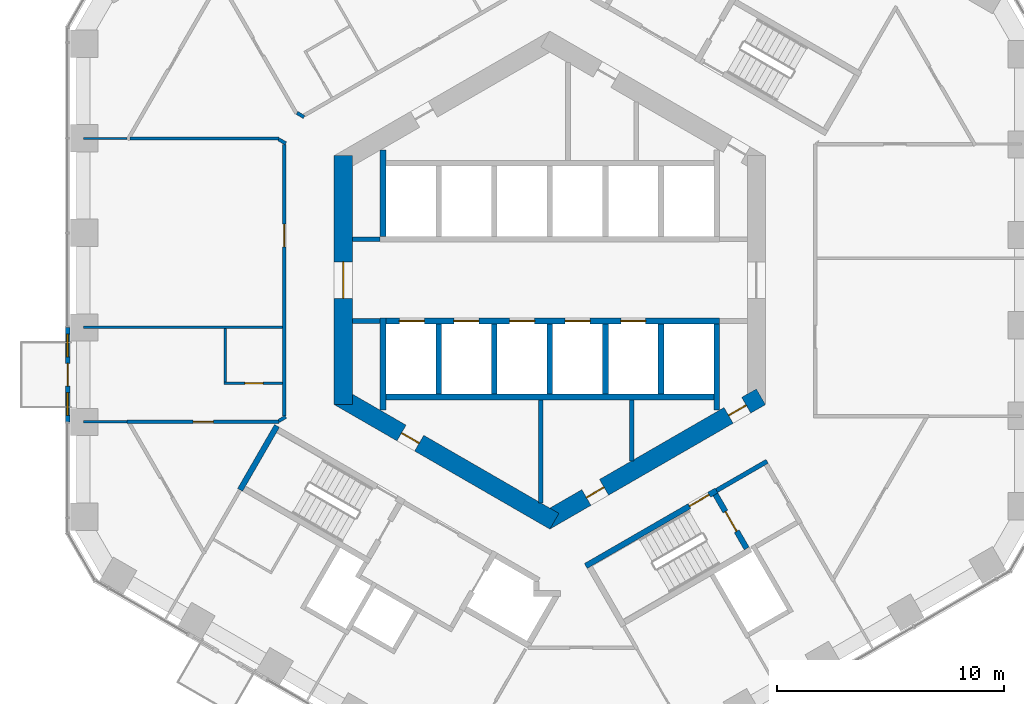
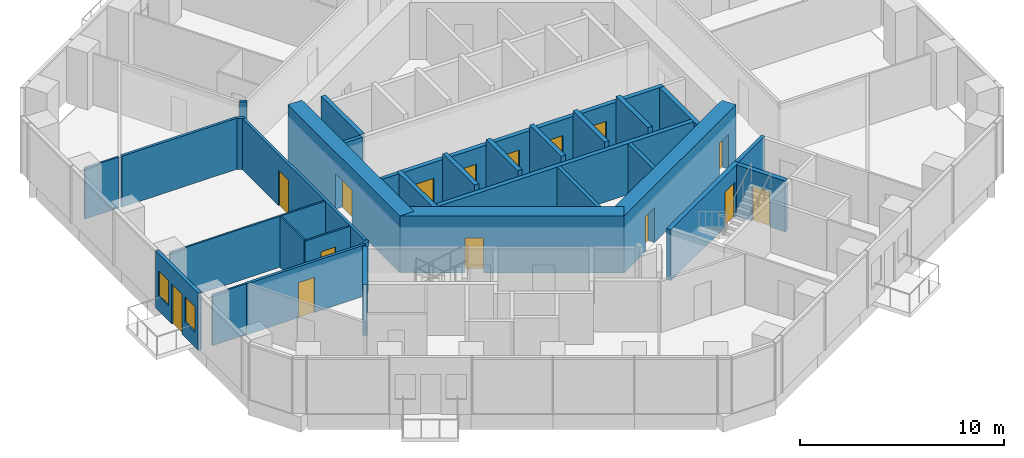
# One storey, part 13 of 19: 33 walls, 15 doors, 2 windows, 17 openings.
"""IFC4 building model written with IfcOpenShell, lengths in metres."""

from ifc_helpers import new_model, si_unit, direction, frame, frame_2d, origin, place, context, subcontext, project, spatial, rectangle, extrude, material, layer, layer_set, type_object, element, fill, save


model = new_model("IFC4")

# Units and contexts
model_context = context("Model", 3, precision=1e-05, world=origin(), true_north=direction((0.0, 1.0)))
body_context = subcontext(model_context, "Body", "Model", "MODEL_VIEW")
ifc_project = project(units=[si_unit("LENGTHUNIT", "METRE"), si_unit("AREAUNIT", "SQUARE_METRE"), si_unit("VOLUMEUNIT", "CUBIC_METRE"), si_unit("PLANEANGLEUNIT", "RADIAN"), si_unit("MASSUNIT", "GRAM", prefix="KILO")], contexts=[model_context])

# Site, building, storey
site_placement = place(None, origin())
site = spatial("IfcSite", under=ifc_project, at=site_placement, CompositionType="ELEMENT")
building_placement = place(site_placement, origin())
building = spatial("IfcBuilding", under=site, at=building_placement, Name="Ayvan Gate Tower", CompositionType="ELEMENT")
storey_placement = place(building_placement, frame((0.0, 0.0, 39.10009765625)))
storey = spatial("IfcBuildingStorey", under=building, at=storey_placement, Name="L09", CompositionType="ELEMENT", Elevation=39.10009765625)

# Wall, openings, door, windows
ifc_material_1 = material(Name="Insulated metal panel wall")
ifc_layer_1 = layer(ifc_material_1, 0.199951171875)
ifc_layer_set_1 = layer_set([ifc_layer_1], Name="Insulated metal panel wall")
wall_type_1 = type_object("IfcWallType", Name="Balcony door wall 200", PredefinedType="SOLIDWALL", material=ifc_layer_set_1)
wall_1_placement = place(storey_placement, frame((-21.247314453125, -2.084716796875, 0.0), z_axis=(0.0, 0.0, 1.0), x_axis=(0.0, -1.0, 0.0)))
wall_1 = element("IfcWall", 1, at=wall_1_placement, inside=storey, type_object=wall_type_1, Name="EW:L09:3:3", PredefinedType="SOLIDWALL", context=body_context, shape_type="SweptSolid", body=[
    extrude(rectangle(XDim=4.168212890625, YDim=0.199951171875, at=frame_2d((2.083984375, 0.0))), origin(), (0.0, 0.0, 1.0), 3.39990234375),
])
opening_1_placement = place(wall_1_placement, frame((1.583984375, 0.0, 0.0)))
opening_1 = element("IfcOpeningElement", 2, at=opening_1_placement, cuts=wall_1, Name="Opening L09-D93", PredefinedType="OPENING", context=body_context, shape_type="SweptSolid", body=[
    extrude(rectangle(XDim=1.0, YDim=2.39990234375, at=frame_2d((0.5, 1.199951171875))), frame((0.0, 0.10986328125, 0.0), z_axis=(0.0, -1.0, 0.0), x_axis=(1.0, 0.0, 0.0)), (0.0, 0.0, 1.0), 0.219970703125),
])
opening_2_placement = place(wall_1_placement, frame((0.2919921875, 0.0, 0.89990234375)))
opening_2 = element("IfcOpeningElement", 3, at=opening_2_placement, cuts=wall_1, Name="Opening W-B1", PredefinedType="OPENING", context=body_context, shape_type="SweptSolid", body=[
    extrude(rectangle(XDim=1.0, YDim=1.5, at=frame_2d((0.5, 0.75))), frame((0.0, 0.10986328125, 0.0), z_axis=(0.0, -1.0, 0.0), x_axis=(1.0, 0.0, 0.0)), (0.0, 0.0, 1.0), 0.219970703125),
])
opening_3_placement = place(wall_1_placement, frame((2.8759765625, 0.0, 0.89990234375)))
opening_3 = element("IfcOpeningElement", 4, at=opening_3_placement, cuts=wall_1, Name="Opening W-B1", PredefinedType="OPENING", context=body_context, shape_type="SweptSolid", body=[
    extrude(rectangle(XDim=1.0, YDim=1.5, at=frame_2d((0.5, 0.75))), frame((0.0, 0.10986328125, 0.0), z_axis=(0.0, -1.0, 0.0), x_axis=(1.0, 0.0, 0.0)), (0.0, 0.0, 1.0), 0.219970703125),
])
ifc_material_2 = material(Name="Bronze anodised aluminium and clear glass", Category="aluminium")
door_type_1 = type_object("IfcDoorType", Name="Balcony door D-B", OperationType="SINGLE_SWING_RIGHT", PredefinedType="DOOR", material=ifc_material_2)
door_1_placement = place(opening_1_placement, origin())
door_1 = element("IfcDoor", 5, at=door_1_placement, inside=storey, type_object=door_type_1, Name="Balcony door BAL-L09-3", OperationType="SINGLE_SWING_RIGHT", OverallHeight=2.39990234375, OverallWidth=1.0, PredefinedType="DOOR", context=body_context, shape_type="SweptSolid", body=[
    extrude(rectangle(XDim=1.0, YDim=2.39990234375, at=frame_2d((0.5, 1.199951171875))), frame((0.0, 0.02490234375, 0.0), z_axis=(0.0, -1.0, 0.0), x_axis=(1.0, 0.0, 0.0)), (0.0, 0.0, 1.0), 0.050048828125),
])
fill(opening_1, door_1)
window_type = type_object("IfcWindowType", Name="Balcony side light W-B Z1", PartitioningType="SINGLE_PANEL", PredefinedType="WINDOW", material=ifc_material_2)
window_1_placement = place(opening_2_placement, origin())
window_1 = element("IfcWindow", 6, at=window_1_placement, inside=storey, type_object=window_type, Name="Balcony side light BAL-L09-3.1", OverallHeight=1.5, OverallWidth=1.0, PartitioningType="SINGLE_PANEL", PredefinedType="WINDOW", context=body_context, shape_type="SweptSolid", body=[
    extrude(rectangle(XDim=1.0, YDim=1.5, at=frame_2d((0.5, 0.75))), frame((0.0, 0.030029296875, 0.0), z_axis=(0.0, -1.0, 0.0), x_axis=(1.0, 0.0, 0.0)), (0.0, 0.0, 1.0), 0.06005859375),
])
fill(opening_2, window_1)
window_2_placement = place(opening_3_placement, origin())
window_2 = element("IfcWindow", 7, at=window_2_placement, inside=storey, type_object=window_type, Name="Balcony side light BAL-L09-3.2", OverallHeight=1.5, OverallWidth=1.0, PartitioningType="SINGLE_PANEL", PredefinedType="WINDOW", context=body_context, shape_type="SweptSolid", body=[
    extrude(rectangle(XDim=1.0, YDim=1.5, at=frame_2d((0.5, 0.75))), frame((0.0, 0.030029296875, 0.0), z_axis=(0.0, -1.0, 0.0), x_axis=(1.0, 0.0, 0.0)), (0.0, 0.0, 1.0), 0.06005859375),
])
fill(opening_3, window_2)

# Wall, opening, door
ifc_material_3 = material(Name="Concrete C70/85", Category="concrete")
ifc_layer_2 = layer(ifc_material_3, 0.800048828125)
ifc_layer_set_2 = layer_set([ifc_layer_2], Name="Concrete C70/85")
wall_type_2 = type_object("IfcWallType", Name="Core wall 800 C70/85", PredefinedType="SHEAR", material=ifc_layer_set_2)
wall_2_placement = place(storey_placement, frame((-9.10009765625, 5.48486328125, 0.0), z_axis=(0.0, 0.0, 1.0), x_axis=(0.0, -1.0, 0.0)))
wall_2 = element("IfcWall", 8, at=wall_2_placement, inside=storey, type_object=wall_type_2, Name="CORE-L09-3", PredefinedType="SHEAR", context=body_context, shape_type="SweptSolid", body=[
    extrude(rectangle(XDim=10.9697265625, YDim=0.800048828125, at=frame_2d((5.48486328125, 0.0))), origin(), (0.0, 0.0, 1.0), 3.39990234375),
])
opening_4_placement = place(wall_2_placement, frame((4.684814453125, 0.0, 0.0)))
opening_4 = element("IfcOpeningElement", 9, at=opening_4_placement, cuts=wall_2, Name="Opening L09-D103", PredefinedType="OPENING", context=body_context, shape_type="SweptSolid", body=[
    extrude(rectangle(XDim=1.60009765625, YDim=2.10009765625, at=frame_2d((0.800048828125, 1.050048828125))), frame((0.0, 0.409912109375, 0.0), z_axis=(0.0, -1.0, 0.0), x_axis=(1.0, 0.0, 0.0)), (0.0, 0.0, 1.0), 0.820068359375),
])
ifc_material_4 = material(Name="Timber door leaf", Category="wood")
door_type_2 = type_object("IfcDoorType", Name="DT-1600", OperationType="NOTDEFINED", PredefinedType="DOOR", material=ifc_material_4)
door_2_placement = place(opening_4_placement, origin())
door_2 = element("IfcDoor", 10, at=door_2_placement, inside=storey, type_object=door_type_2, Name="CD-L09-103", OperationType="SINGLE_SWING_RIGHT", OverallHeight=2.10009765625, OverallWidth=1.60009765625, PredefinedType="DOOR", context=body_context, shape_type="SweptSolid", body=[
    extrude(rectangle(XDim=1.60009765625, YDim=2.10009765625, at=frame_2d((0.800048828125, 1.050048828125))), frame((0.0, 0.02490234375, 0.0), z_axis=(0.0, -1.0, 0.0), x_axis=(1.0, 0.0, 0.0)), (0.0, 0.0, 1.0), 0.050048828125),
])
fill(opening_4, door_2)

wall_3_placement = place(storey_placement, frame((-9.300048828125, -5.138427734375, 0.0), z_axis=(0.0, 0.0, 1.0), x_axis=(0.866023993627, -0.500002442456, 0.0)))
wall_3 = element("IfcWall", 11, at=wall_3_placement, inside=storey, type_object=wall_type_2, Name="CORE-L09-4", PredefinedType="SHEAR", context=body_context, shape_type="SweptSolid", body=[
    extrude(rectangle(XDim=10.9697265625, YDim=0.800048828125, at=frame_2d((5.48486328125, 0.0))), origin(), (0.0, 0.0, 1.0), 3.39990234375),
])
opening_5_placement = place(wall_3_placement, frame((3.1923828125, 0.0, 0.0)))
opening_5 = element("IfcOpeningElement", 12, at=opening_5_placement, cuts=wall_3, Name="Opening L09-D99", PredefinedType="OPENING", context=body_context, shape_type="SweptSolid", body=[
    extrude(rectangle(XDim=0.89990234375, YDim=2.10009765625, at=frame_2d((0.449951171875, 1.050048828125))), frame((0.0, 0.409912109375, 0.0), z_axis=(0.0, -1.0, 0.0), x_axis=(1.0, 0.0, 0.0)), (0.0, 0.0, 1.0), 0.820068359375),
])
door_type_3 = type_object("IfcDoorType", Name="DT-900", OperationType="NOTDEFINED", PredefinedType="DOOR", material=ifc_material_4)
door_3_placement = place(opening_5_placement, origin())
door_3 = element("IfcDoor", 13, at=door_3_placement, inside=storey, type_object=door_type_3, Name="CD-L09-99", OperationType="SINGLE_SWING_RIGHT", OverallHeight=2.10009765625, OverallWidth=0.89990234375, PredefinedType="DOOR", context=body_context, shape_type="SweptSolid", body=[
    extrude(rectangle(XDim=0.89990234375, YDim=2.10009765625, at=frame_2d((0.449951171875, 1.050048828125))), frame((0.0, 0.02490234375, 0.0), z_axis=(0.0, -1.0, 0.0), x_axis=(1.0, 0.0, 0.0)), (0.0, 0.0, 1.0), 0.050048828125),
])
fill(opening_5, door_3)

# Wall, openings, doors
wall_4_placement = place(storey_placement, frame((-0.199951171875, -10.623291015625, 0.0), z_axis=(0.0, 0.0, 1.0), x_axis=(0.866023993627, 0.500002442456, 0.0)))
wall_4 = element("IfcWall", 14, at=wall_4_placement, inside=storey, type_object=wall_type_2, Name="CORE-L09-5", PredefinedType="SHEAR", context=body_context, shape_type="SweptSolid", body=[
    extrude(rectangle(XDim=10.9697265625, YDim=0.800048828125, at=frame_2d((5.48486328125, 0.0))), origin(), (0.0, 0.0, 1.0), 3.39990234375),
])
opening_6_placement = place(wall_4_placement, frame((2.0908203125, 0.0, 0.0)))
opening_6 = element("IfcOpeningElement", 15, at=opening_6_placement, cuts=wall_4, Name="Opening L09-D100", PredefinedType="OPENING", context=body_context, shape_type="SweptSolid", body=[
    extrude(rectangle(XDim=0.89990234375, YDim=2.10009765625, at=frame_2d((0.449951171875, 1.050048828125))), frame((0.0, 0.409912109375, 0.0), z_axis=(0.0, -1.0, 0.0), x_axis=(1.0, 0.0, 0.0)), (0.0, 0.0, 1.0), 0.820068359375),
])
opening_7_placement = place(wall_4_placement, frame((9.32470703125, 0.0, 0.0)))
opening_7 = element("IfcOpeningElement", 16, at=opening_7_placement, cuts=wall_4, Name="Opening L09-D101", PredefinedType="OPENING", context=body_context, shape_type="SweptSolid", body=[
    extrude(rectangle(XDim=0.89990234375, YDim=2.10009765625, at=frame_2d((0.449951171875, 1.050048828125))), frame((0.0, 0.409912109375, 0.0), z_axis=(0.0, -1.0, 0.0), x_axis=(1.0, 0.0, 0.0)), (0.0, 0.0, 1.0), 0.820068359375),
])
door_4_placement = place(opening_6_placement, origin())
door_4 = element("IfcDoor", 17, at=door_4_placement, inside=storey, type_object=door_type_3, Name="CD-L09-100", OperationType="SINGLE_SWING_LEFT", OverallHeight=2.10009765625, OverallWidth=0.89990234375, PredefinedType="DOOR", context=body_context, shape_type="SweptSolid", body=[
    extrude(rectangle(XDim=0.89990234375, YDim=2.10009765625, at=frame_2d((0.449951171875, 1.050048828125))), frame((0.0, 0.02490234375, 0.0), z_axis=(0.0, -1.0, 0.0), x_axis=(1.0, 0.0, 0.0)), (0.0, 0.0, 1.0), 0.050048828125),
])
fill(opening_6, door_4)
door_5_placement = place(opening_7_placement, origin())
door_5 = element("IfcDoor", 18, at=door_5_placement, inside=storey, type_object=door_type_3, Name="CD-L09-101", OperationType="SINGLE_SWING_RIGHT", OverallHeight=2.10009765625, OverallWidth=0.89990234375, PredefinedType="DOOR", context=body_context, shape_type="SweptSolid", body=[
    extrude(rectangle(XDim=0.89990234375, YDim=2.10009765625, at=frame_2d((0.449951171875, 1.050048828125))), frame((0.0, 0.02490234375, 0.0), z_axis=(0.0, -1.0, 0.0), x_axis=(1.0, 0.0, 0.0)), (0.0, 0.0, 1.0), 0.050048828125),
])
fill(opening_7, door_5)

# Wall, opening, door
ifc_material_5 = material(Name="Plasterboard on steel stud", Category="steel")
ifc_layer_3 = layer(ifc_material_5, 0.14990234375)
ifc_layer_set_3 = layer_set([ifc_layer_3], Name="Plasterboard on steel stud")
wall_type_3 = type_object("IfcWallType", Name="WT-CORR-150", PredefinedType="PARTITIONING", material=ifc_layer_set_3)
wall_5_placement = place(storey_placement, frame((-18.639404296875, -6.242919921875, 0.0), z_axis=(0.0, 0.0, 1.0), x_axis=(1.0, 0.0, 0.0)))
wall_5 = element("IfcWall", 19, at=wall_5_placement, inside=storey, type_object=wall_type_3, Name="IW-L09-001", PredefinedType="PARTITIONING", context=body_context, shape_type="SweptSolid", body=[
    extrude(rectangle(XDim=6.701171875, YDim=0.14990234375, at=frame_2d((3.3505859375, 0.0))), origin(), (0.0, 0.0, 1.0), 3.0498046875),
])
opening_8_placement = place(wall_5_placement, frame((2.91796875, 0.0, 0.0)))
opening_8 = element("IfcOpeningElement", 20, at=opening_8_placement, cuts=wall_5, Name="Opening L09-D23", PredefinedType="OPENING", context=body_context, shape_type="SweptSolid", body=[
    extrude(rectangle(XDim=0.89990234375, YDim=2.10009765625, at=frame_2d((0.449951171875, 1.050048828125))), frame((0.0, 0.0849609375, 0.0), z_axis=(0.0, -1.0, 0.0), x_axis=(1.0, 0.0, 0.0)), (0.0, 0.0, 1.0), 0.169921875),
])
door_6_placement = place(opening_8_placement, origin())
door_6 = element("IfcDoor", 21, at=door_6_placement, inside=storey, type_object=door_type_3, Name="ID-L09-023", OperationType="SINGLE_SWING_RIGHT", OverallHeight=2.10009765625, OverallWidth=0.89990234375, PredefinedType="DOOR", context=body_context, shape_type="SweptSolid", body=[
    extrude(rectangle(XDim=0.89990234375, YDim=2.10009765625, at=frame_2d((0.449951171875, 1.050048828125))), frame((0.0, 0.02490234375, 0.0), z_axis=(0.0, -1.0, 0.0), x_axis=(1.0, 0.0, 0.0)), (0.0, 0.0, 1.0), 0.050048828125),
])
fill(opening_8, door_6)

# Walls
wall_6_placement = place(storey_placement, frame((-11.938232421875, 6.242919921875, 0.0), z_axis=(0.0, 0.0, 1.0), x_axis=(-1.0, 0.0, 0.0)))
element("IfcWall", 22, at=wall_6_placement, inside=storey, type_object=wall_type_3, Name="IW-L09-016", PredefinedType="PARTITIONING", context=body_context, shape_type="SweptSolid", body=[
    extrude(rectangle(XDim=6.55126953125, YDim=0.14990234375, at=frame_2d((3.275634765625, 0.0))), origin(), (0.0, 0.0, 1.0), 3.0498046875),
])
for number, where, z_axis, x_axis, name in (
    (23, (-11.9482421875, -6.20556640625, 0.0), (0.0, 0.0, 1.0), (0.865949522258, 0.500131407633, 0.0), "IW-L09-017"),
    (24, (-11.635009765625, 6.024658203125, 0.0), (0.0, 0.0, 1.0), (-0.865949522258, 0.500131407633, 0.0), "IW-L09-018"),
):
    element("IfcWall", number, at=place(storey_placement, frame(where, z_axis=z_axis, x_axis=x_axis)), inside=storey, type_object=wall_type_3, Name=name, PredefinedType="PARTITIONING", context=body_context, shape_type="SweptSolid", body=[
        extrude(rectangle(XDim=0.36181640625, YDim=0.14990234375, at=frame_2d((0.180908203125, 0.0))), origin(), (0.0, 0.0, 1.0), 3.0498046875),
    ])

# Wall, opening, door
wall_7_placement = place(storey_placement, frame((-11.699951171875, -5.9873046875, 0.0), z_axis=(0.0, 0.0, 1.0), x_axis=(0.0, 1.0, 0.0)))
wall_7 = element("IfcWall", 25, at=wall_7_placement, inside=storey, type_object=wall_type_3, Name="IW-L09-019", PredefinedType="PARTITIONING", context=body_context, shape_type="SweptSolid", body=[
    extrude(rectangle(XDim=11.974609375, YDim=0.14990234375, at=frame_2d((5.9873046875, 0.0))), origin(), (0.0, 0.0, 1.0), 3.0498046875),
])
opening_9_placement = place(wall_7_placement, frame((7.455322265625, 0.0, 0.0)))
opening_9 = element("IfcOpeningElement", 26, at=opening_9_placement, cuts=wall_7, Name="Opening L09-D22", PredefinedType="OPENING", context=body_context, shape_type="SweptSolid", body=[
    extrude(rectangle(XDim=1.0, YDim=2.10009765625, at=frame_2d((0.5, 1.050048828125))), frame((0.0, 0.0849609375, 0.0), z_axis=(0.0, -1.0, 0.0), x_axis=(1.0, 0.0, 0.0)), (0.0, 0.0, 1.0), 0.169921875),
])
door_type_4 = type_object("IfcDoorType", Name="DT-1000", OperationType="NOTDEFINED", PredefinedType="DOOR", material=ifc_material_4)
door_7_placement = place(opening_9_placement, origin())
door_7 = element("IfcDoor", 27, at=door_7_placement, inside=storey, type_object=door_type_4, Name="ID-L09-022", OperationType="SINGLE_SWING_LEFT", OverallHeight=2.10009765625, OverallWidth=1.0, PredefinedType="DOOR", context=body_context, shape_type="SweptSolid", body=[
    extrude(rectangle(XDim=1.0, YDim=2.10009765625, at=frame_2d((0.5, 1.050048828125))), frame((0.0, 0.02490234375, 0.0), z_axis=(0.0, -1.0, 0.0), x_axis=(1.0, 0.0, 0.0)), (0.0, 0.0, 1.0), 0.050048828125),
])
fill(opening_9, door_7)

# Walls
wall_8_placement = place(storey_placement, frame((-11.138916015625, 7.3720703125, 0.0), z_axis=(0.0, 0.0, 1.0), x_axis=(0.852601252411, -0.522562057929, 0.0)))
element("IfcWall", 28, at=wall_8_placement, inside=storey, type_object=wall_type_3, Name="IW-L09-020", PredefinedType="PARTITIONING", context=body_context, shape_type="SweptSolid", body=[
    extrude(rectangle(XDim=0.364013671875, YDim=0.14990234375, at=frame_2d((0.18212890625, 0.0))), origin(), (0.0, 0.0, 1.0), 3.0498046875),
])
ifc_layer_4 = layer(ifc_material_5, 0.10009765625)
ifc_layer_set_4 = layer_set([ifc_layer_4], Name="Plasterboard on steel stud")
wall_type_4 = type_object("IfcWallType", Name="WT-PART-100", PredefinedType="PARTITIONING", material=ifc_layer_set_4)
for number, where, z_axis, x_axis, name in (
    (29, (-18.639404296875, -6.242919921875, 0.0), (0.0, 0.0, 1.0), (-1.0, 0.0, 0.0), "IW-L09-000"),
    (30, (-18.639404296875, 6.242919921875, 0.0), (0.0, 0.0, 1.0), (-1.0, 0.0, 0.0), "IW-L09-002"),
):
    element("IfcWall", number, at=place(storey_placement, frame(where, z_axis=z_axis, x_axis=x_axis)), inside=storey, type_object=wall_type_4, Name=name, PredefinedType="PARTITIONING", context=body_context, shape_type="SweptSolid", body=[
        extrude(rectangle(XDim=1.90771484375, YDim=0.10009765625, at=frame_2d((0.953857421875, 0.0))), origin(), (0.0, 0.0, 1.0), 3.0498046875),
    ])

# Wall, opening, door
wall_9_placement = place(storey_placement, frame((-14.35009765625, -4.54296875, 0.0), z_axis=(0.0, 0.0, 1.0), x_axis=(1.0, 0.0, 0.0)))
wall_9 = element("IfcWall", 31, at=wall_9_placement, inside=storey, type_object=wall_type_4, Name="IW-L09-010", PredefinedType="PARTITIONING", context=body_context, shape_type="SweptSolid", body=[
    extrude(rectangle(XDim=2.5751953125, YDim=0.10009765625, at=frame_2d((1.28759765625, 0.0))), origin(), (0.0, 0.0, 1.0), 3.0498046875),
])
opening_10_placement = place(wall_9_placement, frame((0.91259765625, 0.0, 0.0)))
opening_10 = element("IfcOpeningElement", 32, at=opening_10_placement, cuts=wall_9, Name="Opening L09-D24", PredefinedType="OPENING", context=body_context, shape_type="SweptSolid", body=[
    extrude(rectangle(XDim=0.800048828125, YDim=2.10009765625, at=frame_2d((0.39990234375, 1.050048828125))), frame((0.0, 0.06005859375, 0.0), z_axis=(0.0, -1.0, 0.0), x_axis=(1.0, 0.0, 0.0)), (0.0, 0.0, 1.0), 0.1201171875),
])
door_type_5 = type_object("IfcDoorType", Name="DT-800", OperationType="NOTDEFINED", PredefinedType="DOOR", material=ifc_material_4)
door_8_placement = place(opening_10_placement, origin())
door_8 = element("IfcDoor", 33, at=door_8_placement, inside=storey, type_object=door_type_5, Name="ID-L09-024", OperationType="SINGLE_SWING_LEFT", OverallHeight=2.10009765625, OverallWidth=0.800048828125, PredefinedType="DOOR", context=body_context, shape_type="SweptSolid", body=[
    extrude(rectangle(XDim=0.800048828125, YDim=2.10009765625, at=frame_2d((0.39990234375, 1.050048828125))), frame((0.0, 0.02490234375, 0.0), z_axis=(0.0, -1.0, 0.0), x_axis=(1.0, 0.0, 0.0)), (0.0, 0.0, 1.0), 0.050048828125),
])
fill(opening_10, door_8)

# Walls
wall_10_placement = place(storey_placement, frame((-14.300048828125, -2.131103515625, 0.0), z_axis=(0.0, 0.0, 1.0), x_axis=(0.0, -1.0, 0.0)))
element("IfcWall", 34, at=wall_10_placement, inside=storey, type_object=wall_type_4, Name="IW-L09-011", PredefinedType="PARTITIONING", context=body_context, shape_type="SweptSolid", body=[
    extrude(rectangle(XDim=2.36181640625, YDim=0.10009765625, at=frame_2d((1.180908203125, 0.0))), origin(), (0.0, 0.0, 1.0), 3.0498046875),
])
wall_11_placement = place(storey_placement, frame((-20.547119140625, -2.0810546875, 0.0), z_axis=(0.0, 0.0, 1.0), x_axis=(1.0, 0.0, 0.0)))
element("IfcWall", 35, at=wall_11_placement, inside=storey, type_object=wall_type_4, Name="IW-L09-012", PredefinedType="PARTITIONING", context=body_context, shape_type="SweptSolid", body=[
    extrude(rectangle(XDim=8.772216796875, YDim=0.10009765625, at=frame_2d((4.38623046875, 0.0))), origin(), (0.0, 0.0, 1.0), 3.0498046875),
])
ifc_layer_5 = layer(ifc_material_5, 0.199951171875)
ifc_layer_set_5 = layer_set([ifc_layer_5], Name="Plasterboard on steel stud")
wall_type_5 = type_object("IfcWallType", Name="WT-RATED-200", PredefinedType="PARTITIONING", material=ifc_layer_set_5)
for number, where, z_axis, x_axis, name in (
    (36, (-8.699951171875, 1.800048828125, 0.0), (0.0, 0.0, 1.0), (1.0, 0.0, 0.0), "IW-L09-029"),
    (37, (-7.474853515625, -1.800048828125, 0.0), (0.0, 0.0, 1.0), (-1.0, 0.0, 0.0), "IW-L09-037"),
):
    element("IfcWall", number, at=place(storey_placement, frame(where, z_axis=z_axis, x_axis=x_axis)), inside=storey, type_object=wall_type_5, Name=name, PredefinedType="PARTITIONING", context=body_context, shape_type="SweptSolid", body=[
        extrude(rectangle(XDim=1.22509765625, YDim=0.199951171875, at=frame_2d((0.612548828125, 0.0))), origin(), (0.0, 0.0, 1.0), 3.0498046875),
    ])
wall_12_placement = place(storey_placement, frame((-0.39990234375, -5.27490234375, 0.0), z_axis=(0.0, 0.0, 1.0), x_axis=(0.0, -1.0, 0.0)))
element("IfcWall", 38, at=wall_12_placement, inside=storey, type_object=wall_type_5, Name="IW-L09-061", PredefinedType="PARTITIONING", context=body_context, shape_type="SweptSolid", body=[
    extrude(rectangle(XDim=4.5400390625, YDim=0.199951171875, at=frame_2d((2.27001953125, 0.0))), origin(), (0.0, 0.0, 1.0), 3.0498046875),
])
wall_13_placement = place(storey_placement, frame((3.60009765625, -5.27490234375, 0.0), z_axis=(0.0, 0.0, 1.0), x_axis=(0.0, -1.0, 0.0)))
element("IfcWall", 39, at=wall_13_placement, inside=storey, type_object=wall_type_5, Name="IW-L09-078", PredefinedType="PARTITIONING", context=body_context, shape_type="SweptSolid", body=[
    extrude(rectangle(XDim=2.6923828125, YDim=0.199951171875, at=frame_2d((1.34619140625, 0.0))), origin(), (0.0, 0.0, 1.0), 3.0498046875),
])
wall_14_placement = place(storey_placement, frame((7.343994140625, -9.27001953125, 0.0), z_axis=(0.0, 0.0, 1.0), x_axis=(0.866005588531, 0.500034319456, 0.0)))
element("IfcWall", 40, at=wall_14_placement, inside=storey, type_object=wall_type_5, Name="IW-L09-090", PredefinedType="PARTITIONING", context=body_context, shape_type="SweptSolid", body=[
    extrude(rectangle(XDim=2.574951171875, YDim=0.199951171875, at=frame_2d((1.28759765625, 0.0))), origin(), (0.0, 0.0, 1.0), 3.0498046875),
])
ifc_material_6 = material(Name="Concrete C50/60", Category="concrete")
ifc_layer_6 = layer(ifc_material_6, 0.25)
ifc_layer_set_6 = layer_set([ifc_layer_6], Name="Concrete C50/60")
wall_type_6 = type_object("IfcWallType", Name="WT-RC-250", PredefinedType="SHEAR", material=ifc_layer_set_6)
wall_15_placement = place(storey_placement, frame((-13.64794921875, -9.23876953125, 0.0), z_axis=(0.0, 0.0, 1.0), x_axis=(0.500017246033, 0.866015446554, 0.0)))
element("IfcWall", 41, at=wall_15_placement, inside=storey, type_object=wall_type_6, Name="IW-L09-013", PredefinedType="SHEAR", context=body_context, shape_type="SweptSolid", body=[
    extrude(rectangle(XDim=3.25, YDim=0.25, at=frame_2d((1.625, 0.0))), origin(), (0.0, 0.0, 1.0), 3.0498046875),
])
wall_16_placement = place(storey_placement, frame((-7.35009765625, -5.730224609375, 0.0), z_axis=(0.0, 0.0, 1.0), x_axis=(0.0, 1.0, 0.0)))
element("IfcWall", 42, at=wall_16_placement, inside=storey, type_object=wall_type_6, Name="IW-L09-034", PredefinedType="SHEAR", context=body_context, shape_type="SweptSolid", body=[
    extrude(rectangle(XDim=4.05517578125, YDim=0.25, at=frame_2d((2.027587890625, 0.0))), origin(), (0.0, 0.0, 1.0), 3.0498046875),
])
wall_17_placement = place(storey_placement, frame((-7.35009765625, 1.925048828125, 0.0), z_axis=(0.0, 0.0, 1.0), x_axis=(0.0, 1.0, 0.0)))
element("IfcWall", 43, at=wall_17_placement, inside=storey, type_object=wall_type_6, Name="IW-L09-035", PredefinedType="SHEAR", context=body_context, shape_type="SweptSolid", body=[
    extrude(rectangle(XDim=3.80517578125, YDim=0.25, at=frame_2d((1.902587890625, 0.0))), origin(), (0.0, 0.0, 1.0), 3.0498046875),
])
wall_18_placement = place(storey_placement, frame((-7.22509765625, -5.14990234375, 0.0), z_axis=(0.0, 0.0, 1.0), x_axis=(1.0, 0.0, 0.0)))
element("IfcWall", 44, at=wall_18_placement, inside=storey, type_object=wall_type_6, Name="IW-L09-042", PredefinedType="SHEAR", context=body_context, shape_type="SweptSolid", body=[
    extrude(rectangle(XDim=14.7001953125, YDim=0.25, at=frame_2d((7.35009765625, 0.0))), origin(), (0.0, 0.0, 1.0), 3.0498046875),
])
wall_19_placement = place(storey_placement, frame((-4.89990234375, -1.925048828125, 0.0), z_axis=(0.0, 0.0, 1.0), x_axis=(0.0, -1.0, 0.0)))
element("IfcWall", 45, at=wall_19_placement, inside=storey, type_object=wall_type_6, Name="IW-L09-043", PredefinedType="SHEAR", context=body_context, shape_type="SweptSolid", body=[
    extrude(rectangle(XDim=3.099853515625, YDim=0.25, at=frame_2d((1.5498046875, 0.0))), origin(), (0.0, 0.0, 1.0), 3.39990234375),
])

# Wall, openings, doors
wall_20_placement = place(storey_placement, frame((-7.22509765625, -1.800048828125, 0.0), z_axis=(0.0, 0.0, 1.0), x_axis=(1.0, 0.0, 0.0)))
wall_20 = element("IfcWall", 46, at=wall_20_placement, inside=storey, type_object=wall_type_6, Name="IW-L09-045", PredefinedType="SHEAR", context=body_context, shape_type="SweptSolid", body=[
    extrude(rectangle(XDim=14.7001953125, YDim=0.25, at=frame_2d((7.35009765625, 0.0))), origin(), (0.0, 0.0, 1.0), 3.0498046875),
])
opening_11_placement = place(wall_20_placement, frame((0.597412109375, 0.0, 0.0)))
opening_11 = element("IfcOpeningElement", 47, at=opening_11_placement, cuts=wall_20, Name="Opening L09-LD-LR1", PredefinedType="OPENING", context=body_context, shape_type="SweptSolid", body=[
    extrude(rectangle(XDim=1.10009765625, YDim=2.10009765625, at=frame_2d((0.550048828125, 1.050048828125))), frame((0.0, 0.135009765625, 0.0), z_axis=(0.0, -1.0, 0.0), x_axis=(1.0, 0.0, 0.0)), (0.0, 0.0, 1.0), 0.27001953125),
])
opening_12_placement = place(wall_20_placement, frame((3.0, 0.0, 0.0)))
opening_12 = element("IfcOpeningElement", 48, at=opening_12_placement, cuts=wall_20, Name="Opening L09-LD-LR2", PredefinedType="OPENING", context=body_context, shape_type="SweptSolid", body=[
    extrude(rectangle(XDim=1.10009765625, YDim=2.10009765625, at=frame_2d((0.550048828125, 1.050048828125))), frame((0.0, 0.135009765625, 0.0), z_axis=(0.0, -1.0, 0.0), x_axis=(1.0, 0.0, 0.0)), (0.0, 0.0, 1.0), 0.27001953125),
])
opening_13_placement = place(wall_20_placement, frame((5.4501953125, 0.0, 0.0)))
opening_13 = element("IfcOpeningElement", 49, at=opening_13_placement, cuts=wall_20, Name="Opening L09-LD-LR3", PredefinedType="OPENING", context=body_context, shape_type="SweptSolid", body=[
    extrude(rectangle(XDim=1.10009765625, YDim=2.10009765625, at=frame_2d((0.550048828125, 1.050048828125))), frame((0.0, 0.135009765625, 0.0), z_axis=(0.0, -1.0, 0.0), x_axis=(1.0, 0.0, 0.0)), (0.0, 0.0, 1.0), 0.27001953125),
])
opening_14_placement = place(wall_20_placement, frame((7.900146484375, 0.0, 0.0)))
opening_14 = element("IfcOpeningElement", 50, at=opening_14_placement, cuts=wall_20, Name="Opening L09-LD-LR4", PredefinedType="OPENING", context=body_context, shape_type="SweptSolid", body=[
    extrude(rectangle(XDim=1.10009765625, YDim=2.10009765625, at=frame_2d((0.550048828125, 1.050048828125))), frame((0.0, 0.135009765625, 0.0), z_axis=(0.0, -1.0, 0.0), x_axis=(1.0, 0.0, 0.0)), (0.0, 0.0, 1.0), 0.27001953125),
])
opening_15_placement = place(wall_20_placement, frame((10.35009765625, 0.0, 0.0)))
opening_15 = element("IfcOpeningElement", 51, at=opening_15_placement, cuts=wall_20, Name="Opening L09-LD-SV", PredefinedType="OPENING", context=body_context, shape_type="SweptSolid", body=[
    extrude(rectangle(XDim=1.10009765625, YDim=2.10009765625, at=frame_2d((0.550048828125, 1.050048828125))), frame((0.0, 0.135009765625, 0.0), z_axis=(0.0, -1.0, 0.0), x_axis=(1.0, 0.0, 0.0)), (0.0, 0.0, 1.0), 0.27001953125),
])
ifc_material_7 = material(Name="Stainless steel landing door", Category="steel")
door_type_6 = type_object("IfcDoorType", Name="DT-LANDING-1100", OperationType="SLIDING_TO_LEFT", PredefinedType="DOOR", material=ifc_material_7)
door_9_placement = place(opening_11_placement, origin())
door_9 = element("IfcDoor", 52, at=door_9_placement, inside=storey, type_object=door_type_6, Name="ID-L09-001", OperationType="SLIDING_TO_LEFT", OverallHeight=2.10009765625, OverallWidth=1.10009765625, PredefinedType="DOOR", context=body_context, shape_type="SweptSolid", body=[
    extrude(rectangle(XDim=1.10009765625, YDim=2.10009765625, at=frame_2d((0.550048828125, 1.050048828125))), frame((0.0, 0.02490234375, 0.0), z_axis=(0.0, -1.0, 0.0), x_axis=(1.0, 0.0, 0.0)), (0.0, 0.0, 1.0), 0.050048828125),
])
fill(opening_11, door_9)
door_10_placement = place(opening_12_placement, origin())
door_10 = element("IfcDoor", 53, at=door_10_placement, inside=storey, type_object=door_type_6, Name="ID-L09-002", OperationType="SLIDING_TO_LEFT", OverallHeight=2.10009765625, OverallWidth=1.10009765625, PredefinedType="DOOR", context=body_context, shape_type="SweptSolid", body=[
    extrude(rectangle(XDim=1.10009765625, YDim=2.10009765625, at=frame_2d((0.550048828125, 1.050048828125))), frame((0.0, 0.02490234375, 0.0), z_axis=(0.0, -1.0, 0.0), x_axis=(1.0, 0.0, 0.0)), (0.0, 0.0, 1.0), 0.050048828125),
])
fill(opening_12, door_10)
door_11_placement = place(opening_13_placement, origin())
door_11 = element("IfcDoor", 54, at=door_11_placement, inside=storey, type_object=door_type_6, Name="ID-L09-003", OperationType="SLIDING_TO_LEFT", OverallHeight=2.10009765625, OverallWidth=1.10009765625, PredefinedType="DOOR", context=body_context, shape_type="SweptSolid", body=[
    extrude(rectangle(XDim=1.10009765625, YDim=2.10009765625, at=frame_2d((0.550048828125, 1.050048828125))), frame((0.0, 0.02490234375, 0.0), z_axis=(0.0, -1.0, 0.0), x_axis=(1.0, 0.0, 0.0)), (0.0, 0.0, 1.0), 0.050048828125),
])
fill(opening_13, door_11)
door_12_placement = place(opening_14_placement, origin())
door_12 = element("IfcDoor", 55, at=door_12_placement, inside=storey, type_object=door_type_6, Name="ID-L09-004", OperationType="SLIDING_TO_LEFT", OverallHeight=2.10009765625, OverallWidth=1.10009765625, PredefinedType="DOOR", context=body_context, shape_type="SweptSolid", body=[
    extrude(rectangle(XDim=1.10009765625, YDim=2.10009765625, at=frame_2d((0.550048828125, 1.050048828125))), frame((0.0, 0.02490234375, 0.0), z_axis=(0.0, -1.0, 0.0), x_axis=(1.0, 0.0, 0.0)), (0.0, 0.0, 1.0), 0.050048828125),
])
fill(opening_14, door_12)
door_13_placement = place(opening_15_placement, origin())
door_13 = element("IfcDoor", 56, at=door_13_placement, inside=storey, type_object=door_type_6, Name="ID-L09-005", OperationType="SLIDING_TO_LEFT", OverallHeight=2.10009765625, OverallWidth=1.10009765625, PredefinedType="DOOR", context=body_context, shape_type="SweptSolid", body=[
    extrude(rectangle(XDim=1.10009765625, YDim=2.10009765625, at=frame_2d((0.550048828125, 1.050048828125))), frame((0.0, 0.02490234375, 0.0), z_axis=(0.0, -1.0, 0.0), x_axis=(1.0, 0.0, 0.0)), (0.0, 0.0, 1.0), 0.050048828125),
])
fill(opening_15, door_13)

# Walls
for number, where, z_axis, x_axis, name in (
    (57, (-2.449951171875, -1.925048828125, 0.0), (0.0, 0.0, 1.0), (0.0, -1.0, 0.0), "IW-L09-054"),
    (58, (0.0, -1.925048828125, 0.0), (0.0, 0.0, 1.0), (0.0, -1.0, 0.0), "IW-L09-063"),
):
    element("IfcWall", number, at=place(storey_placement, frame(where, z_axis=z_axis, x_axis=x_axis)), inside=storey, type_object=wall_type_6, Name=name, PredefinedType="SHEAR", context=body_context, shape_type="SweptSolid", body=[
        extrude(rectangle(XDim=3.099853515625, YDim=0.25, at=frame_2d((1.5498046875, 0.0))), origin(), (0.0, 0.0, 1.0), 3.39990234375),
    ])

# Wall, opening, door
wall_21_placement = place(storey_placement, frame((1.584716796875, -12.594970703125, 0.0), z_axis=(0.0, 0.0, 1.0), x_axis=(0.866036417653, 0.499980922934, 0.0)))
wall_21 = element("IfcWall", 59, at=wall_21_placement, inside=storey, type_object=wall_type_6, Name="IW-L09-071", PredefinedType="SHEAR", context=body_context, shape_type="SweptSolid", body=[
    extrude(rectangle(XDim=6.650146484375, YDim=0.25, at=frame_2d((3.3251953125, 0.0))), origin(), (0.0, 0.0, 1.0), 3.0498046875),
])
opening_16_placement = place(wall_21_placement, frame((5.27490234375, 0.0, 0.0)))
opening_16 = element("IfcOpeningElement", 60, at=opening_16_placement, cuts=wall_21, Name="Opening L09-D14", PredefinedType="OPENING", context=body_context, shape_type="SweptSolid", body=[
    extrude(rectangle(XDim=1.0, YDim=2.10009765625, at=frame_2d((0.5, 1.050048828125))), frame((0.0, 0.135009765625, 0.0), z_axis=(0.0, -1.0, 0.0), x_axis=(1.0, 0.0, 0.0)), (0.0, 0.0, 1.0), 0.27001953125),
])
door_14_placement = place(opening_16_placement, origin())
door_14 = element("IfcDoor", 61, at=door_14_placement, inside=storey, type_object=door_type_4, Name="ID-L09-014", OperationType="SINGLE_SWING_LEFT", OverallHeight=2.10009765625, OverallWidth=1.0, PredefinedType="DOOR", context=body_context, shape_type="SweptSolid", body=[
    extrude(rectangle(XDim=1.0, YDim=2.10009765625, at=frame_2d((0.5, 1.050048828125))), frame((0.0, 0.02490234375, 0.0), z_axis=(0.0, -1.0, 0.0), x_axis=(1.0, 0.0, 0.0)), (0.0, 0.0, 1.0), 0.050048828125),
])
fill(opening_16, door_14)

# Walls
for number, where, z_axis, x_axis, name in (
    (62, (2.449951171875, -1.925048828125, 0.0), (0.0, 0.0, 1.0), (0.0, -1.0, 0.0), "IW-L09-072"),
    (63, (4.89990234375, -1.925048828125, 0.0), (0.0, 0.0, 1.0), (0.0, -1.0, 0.0), "IW-L09-084"),
):
    element("IfcWall", number, at=place(storey_placement, frame(where, z_axis=z_axis, x_axis=x_axis)), inside=storey, type_object=wall_type_6, Name=name, PredefinedType="SHEAR", context=body_context, shape_type="SweptSolid", body=[
        extrude(rectangle(XDim=3.099853515625, YDim=0.25, at=frame_2d((1.5498046875, 0.0))), origin(), (0.0, 0.0, 1.0), 3.39990234375),
    ])

# Wall, opening, door
wall_22_placement = place(storey_placement, frame((7.298095703125, -9.44091796875, 0.0), z_axis=(0.0, 0.0, 1.0), x_axis=(0.500034990121, -0.866005201286, 0.0)))
wall_22 = element("IfcWall", 64, at=wall_22_placement, inside=storey, type_object=wall_type_6, Name="IW-L09-089", PredefinedType="SHEAR", context=body_context, shape_type="SweptSolid", body=[
    extrude(rectangle(XDim=2.749755859375, YDim=0.25, at=frame_2d((1.375, 0.0))), origin(), (0.0, 0.0, 1.0), 3.0498046875),
])
opening_17_placement = place(wall_22_placement, frame((0.875, 0.0, 0.0)))
opening_17 = element("IfcOpeningElement", 65, at=opening_17_placement, cuts=wall_22, Name="Opening L09-D16", PredefinedType="OPENING", context=body_context, shape_type="SweptSolid", body=[
    extrude(rectangle(XDim=1.0, YDim=2.10009765625, at=frame_2d((0.5, 1.050048828125))), frame((0.0, 0.135009765625, 0.0), z_axis=(0.0, -1.0, 0.0), x_axis=(1.0, 0.0, 0.0)), (0.0, 0.0, 1.0), 0.27001953125),
])
door_15_placement = place(opening_17_placement, origin())
door_15 = element("IfcDoor", 66, at=door_15_placement, inside=storey, type_object=door_type_4, Name="ID-L09-016", OperationType="SINGLE_SWING_LEFT", OverallHeight=2.10009765625, OverallWidth=1.0, PredefinedType="DOOR", context=body_context, shape_type="SweptSolid", body=[
    extrude(rectangle(XDim=1.0, YDim=2.10009765625, at=frame_2d((0.5, 1.050048828125))), frame((0.0, 0.02490234375, 0.0), z_axis=(0.0, -1.0, 0.0), x_axis=(1.0, 0.0, 0.0)), (0.0, 0.0, 1.0), 0.050048828125),
])
fill(opening_17, door_15)

# Wall
wall_23_placement = place(storey_placement, frame((7.35009765625, -1.925048828125, 0.0), z_axis=(0.0, 0.0, 1.0), x_axis=(0.0, -1.0, 0.0)))
element("IfcWall", 67, at=wall_23_placement, inside=storey, type_object=wall_type_6, Name="IW-L09-092", PredefinedType="SHEAR", context=body_context, shape_type="SweptSolid", body=[
    extrude(rectangle(XDim=3.80517578125, YDim=0.25, at=frame_2d((1.902587890625, 0.0))), origin(), (0.0, 0.0, 1.0), 3.0498046875),
])

save(model, "model.ifc")
